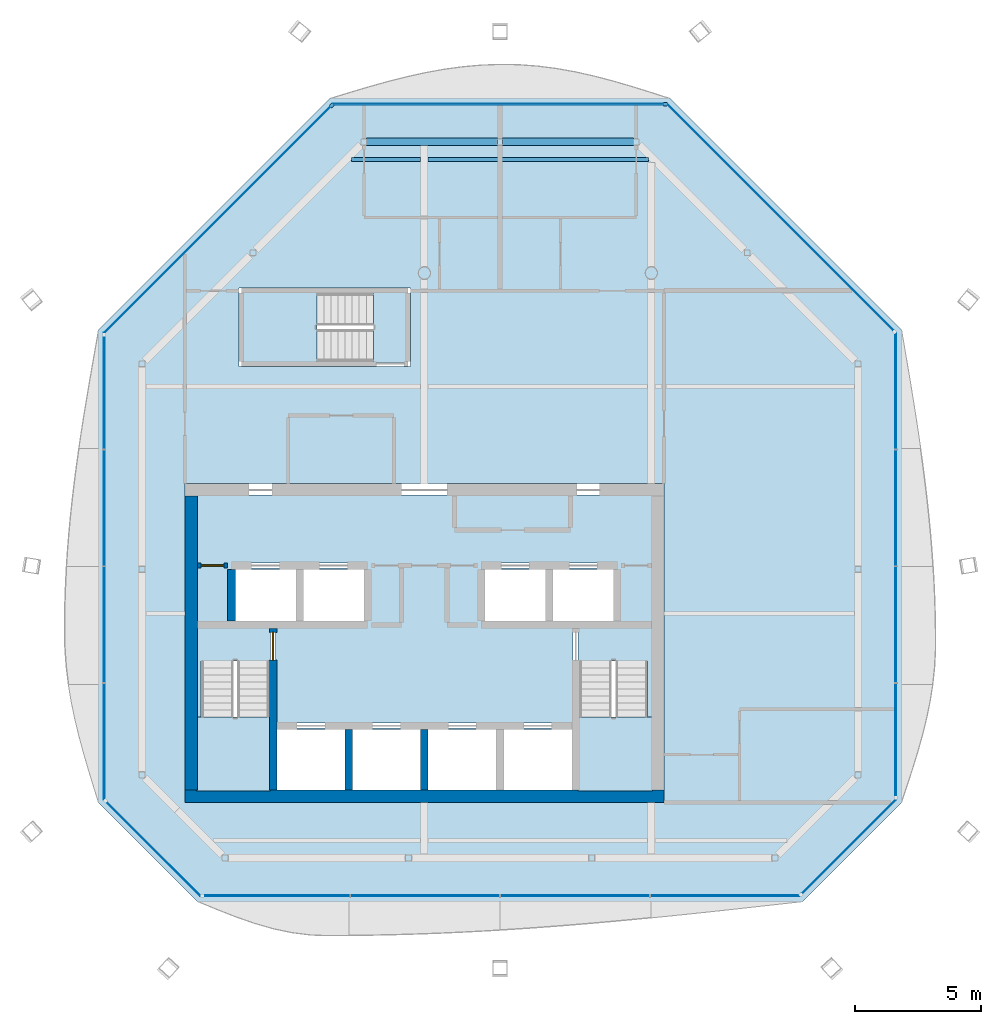
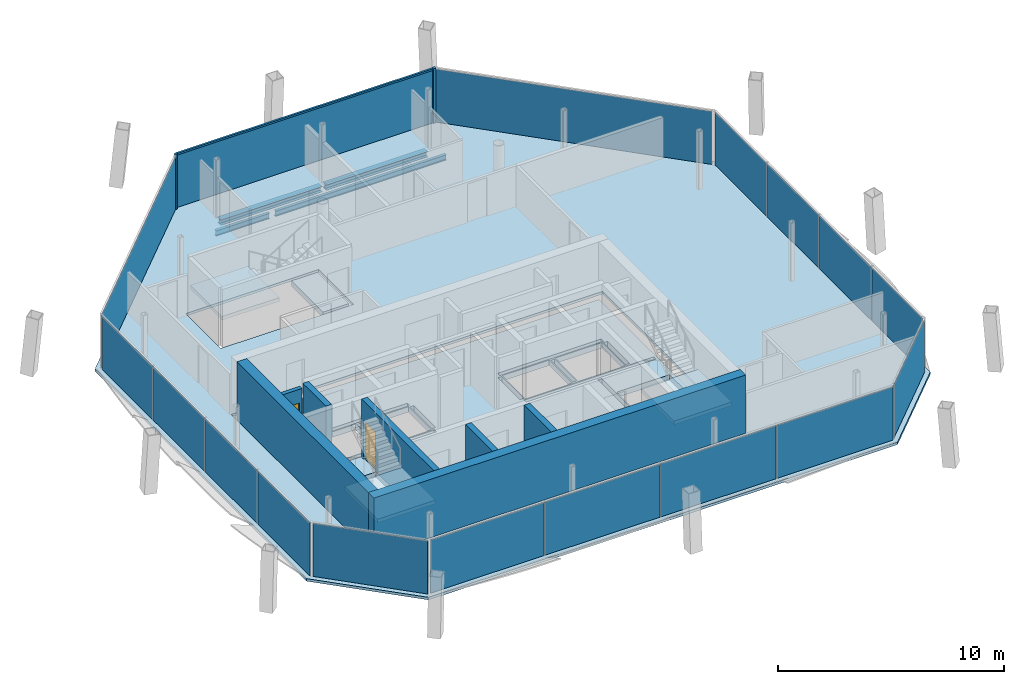
# One storey, part 8 of 13: 17 plates, 7 walls, 6 slabs, 4 beams, 3 members, 2 doors, 2 openings, 11 elements without a shape of their own.
"""IFC4 building model written with IfcOpenShell, lengths in metres."""

from ifc_helpers import new_model, si_unit, direction, frame, frame_2d, origin, origin_2d, place, context, subcontext, project, spatial, polyline, rectangle, i_section, outline, extrude, material, layer, layer_set, material_profile, profile_set, type_object, element, fill, aggregate, save


model = new_model("IFC4")

# Units and contexts
model_context = context("Model", 3, precision=1e-05, world=origin(), true_north=direction((0.0, 1.0)))
body_context = subcontext(model_context, "Body", "Model", "MODEL_VIEW")
ifc_project = project(units=[si_unit("LENGTHUNIT", "METRE"), si_unit("AREAUNIT", "SQUARE_METRE"), si_unit("VOLUMEUNIT", "CUBIC_METRE"), si_unit("PLANEANGLEUNIT", "RADIAN"), si_unit("MASSUNIT", "GRAM", prefix="KILO")], contexts=[model_context])

# Site, building, storey
site_placement = place(None, origin())
site = spatial("IfcSite", under=ifc_project, at=site_placement, CompositionType="ELEMENT")
building_placement = place(site_placement, origin())
building = spatial("IfcBuilding", under=site, at=building_placement, Name="Tskaro Facet Tower", CompositionType="ELEMENT")
storey_placement = place(building_placement, frame((0.0, 0.0, 281.550048828125)))
storey = spatial("IfcBuildingStorey", under=building, at=storey_placement, Name="L75", CompositionType="ELEMENT", Elevation=281.550048828125)

# Curtain wall, member
ifc_material_1 = material(Name="Bronze anodised aluminium 6063-T6", Category="aluminium")
curtain_wall_type = type_object("IfcCurtainWallType", Name="Bronze residence curtain wall (FW3)", PredefinedType="NOTDEFINED", material=ifc_material_1)
curtain_wall_1_placement = place(storey_placement, origin())
curtain_wall_1 = element("IfcCurtainWall", 1, at=curtain_wall_1_placement, inside=storey, type_object=curtain_wall_type, Name="FW3 north facet L75", PredefinedType="NOTDEFINED")
ifc_material_profile_1 = material_profile(ifc_material_1, rectangle(XDim=0.139892578125, YDim=0.139892578125, at=origin_2d()), Name="Corner post 140x140")
ifc_profile_set_1 = profile_set([ifc_material_profile_1], Name="Bronze anodised aluminium 6063-T6")
member_type_1 = type_object("IfcMemberType", Name="FW3 bronze corner post 140x140", PredefinedType="MULLION", material=ifc_profile_set_1)
member_1_placement = place(storey_placement, frame((9.555908203125, 15.697998046875, 0.0), z_axis=(0.0, 0.0, 1.0), x_axis=(-1.0, 0.0, 0.0)))
member_1 = element("IfcMember", 2, at=member_1_placement, type_object=member_type_1, Name="FW3 north corner post", PredefinedType="MULLION", context=body_context, shape_type="SweptSolid", body=[
    extrude(rectangle(XDim=0.139892578125, YDim=0.139892578125, at=origin_2d()), origin(), (0.0, 0.0, 1.0), 2.949951171875),
])

curtain_wall_2_placement = place(storey_placement, origin())
curtain_wall_2 = element("IfcCurtainWall", 3, at=curtain_wall_2_placement, inside=storey, type_object=curtain_wall_type, Name="FW3 north-west facet L75", PredefinedType="NOTDEFINED")
member_2_placement = place(storey_placement, frame((-3.675537109375, 15.6484375, 0.0), z_axis=(0.0, 0.0, 1.0), x_axis=(-0.707106781187, -0.707106781187, 0.0)))
member_2 = element("IfcMember", 4, at=member_2_placement, type_object=member_type_1, Name="FW3 north-west corner post", PredefinedType="MULLION", context=body_context, shape_type="SweptSolid", body=[
    extrude(rectangle(XDim=0.139892578125, YDim=0.139892578125, at=origin_2d()), origin(), (0.0, 0.0, 1.0), 2.949951171875),
])

# Member
ifc_material_profile_2 = material_profile(ifc_material_1, rectangle(XDim=0.10009765625, YDim=0.090087890625, at=origin_2d()), Name="Transom 100x90")
ifc_profile_set_2 = profile_set([ifc_material_profile_2], Name="Bronze anodised aluminium 6063-T6")
member_type_2 = type_object("IfcMemberType", Name="FW3 bronze transom 100x90", PredefinedType="USERDEFINED", material=ifc_profile_set_2)
member_3_placement = place(storey_placement, frame((9.486083984375, 15.697998046875, 2.905029296875), z_axis=(-1.0, 0.0, 0.0), x_axis=(0.0, -1.0, 0.0)))
member_3 = element("IfcMember", 5, at=member_3_placement, type_object=member_type_2, Name="FW3 north transom 1.1", ObjectType="TRANSOM", PredefinedType="USERDEFINED", context=body_context, shape_type="SweptSolid", body=[
    extrude(rectangle(XDim=0.10009765625, YDim=0.090087890625, at=origin_2d()), origin(), (0.0, 0.0, 1.0), 13.112060546875),
])

# Beams
ifc_material_2 = material(Name="Steel S355J2", Category="steel")
ifc_material_profile_3 = material_profile(ifc_material_2, i_section(OverallWidth=0.300048828125, OverallDepth=0.300048828125, WebThickness=0.010986328125, FlangeThickness=0.01904296875, FilletRadius=0.027099609375, at=origin_2d()), Name="HE 300 B")
ifc_profile_set_3 = profile_set([ifc_material_profile_3], Name="Steel S355J2")
beam_type_1 = type_object("IfcBeamType", Name="HE 300 B ring beam", PredefinedType="BEAM", material=ifc_profile_set_3)
for number, where, z_axis, x_axis, name in (
    (6, (8.298095703125, 14.199951171875, -0.2900390625), (-1.0, 0.0, 0.0), (0.0, -1.0, 0.0), "HE 300 B EB9-6"),
    (7, (2.89501953125, 14.199951171875, -0.2900390625), (-1.0, 0.0, 0.0), (0.0, -1.0, 0.0), "HE 300 B EB10-6"),
):
    element("IfcBeam", number, at=place(storey_placement, frame(where, z_axis=z_axis, x_axis=x_axis)), inside=storey, type_object=beam_type_1, Name=name, PredefinedType="BEAM", context=body_context, shape_type="SweptSolid", body=[
        extrude(i_section(OverallWidth=0.300048828125, OverallDepth=0.300048828125, WebThickness=0.010986328125, FlangeThickness=0.01904296875, FilletRadius=0.027099609375, at=origin_2d()), origin(), (0.0, 0.0, 1.0), 5.193115234375),
    ])
ifc_material_profile_4 = material_profile(ifc_material_2, i_section(OverallWidth=0.14990234375, OverallDepth=0.300048828125, WebThickness=0.007080078125, FlangeThickness=0.0107421875, FilletRadius=0.014892578125, at=origin_2d()), Name="IPE 300")
ifc_profile_set_4 = profile_set([ifc_material_profile_4], Name="Steel S355J2")
beam_type_2 = type_object("IfcBeamType", Name="IPE 300 secondary beam", PredefinedType="BEAM", material=ifc_profile_set_4)
beam_1_placement = place(storey_placement, frame((-2.89111328125, 13.5, -0.2900390625), z_axis=(1.0, 0.0, 0.0), x_axis=(0.0, 1.0, 0.0)))
element("IfcBeam", 8, at=beam_1_placement, inside=storey, type_object=beam_type_2, Name="IPE 300 SB5a-1-6", PredefinedType="BEAM", context=body_context, shape_type="SweptSolid", body=[
    extrude(i_section(OverallWidth=0.14990234375, OverallDepth=0.300048828125, WebThickness=0.007080078125, FlangeThickness=0.0107421875, FilletRadius=0.014892578125, at=origin_2d()), origin(), (0.0, 0.0, 1.0), 2.7412109375),
])
beam_2_placement = place(storey_placement, frame((0.14990234375, 13.5, -0.2900390625), z_axis=(1.0, 0.0, 0.0), x_axis=(0.0, 1.0, 0.0)))
element("IfcBeam", 9, at=beam_2_placement, inside=storey, type_object=beam_type_2, Name="IPE 300 SB5a-2-6", PredefinedType="BEAM", context=body_context, shape_type="SweptSolid", body=[
    extrude(i_section(OverallWidth=0.14990234375, OverallDepth=0.300048828125, WebThickness=0.007080078125, FlangeThickness=0.0107421875, FilletRadius=0.014892578125, at=origin_2d()), origin(), (0.0, 0.0, 1.0), 8.7412109375),
])

# Slab
ifc_material_3 = material(Name="Concrete C30/37", Category="concrete")
ifc_layer_1 = layer(ifc_material_3, 0.139892578125, Name="Concrete C30/37")
ifc_layer_set_1 = layer_set([ifc_layer_1], Name="Concrete C30/37")
slab_type_1 = type_object("IfcSlabType", Name="Composite deck floor slab", PredefinedType="FLOOR", material=ifc_layer_set_1)
slab_1_placement = place(storey_placement, frame((0.0, 0.0, -0.14013671875)))
element("IfcSlab", 10, at=slab_1_placement, inside=storey, type_object=slab_type_1, Name="Floor slab FS3 L75", PredefinedType="FLOOR", context=body_context, shape_type="SweptSolid", body=[
    extrude(outline(polyline([(-8.990966796875, -15.947998046875), (14.990966796875, -15.947998046875), (18.947998046875, -11.990966796875), (18.947998046875, 6.72998046875), (9.72998046875, 15.947998046875), (-3.72998046875, 15.947998046875), (-12.947998046875, 6.72998046875), (-12.947998046875, -11.990966796875), (-8.990966796875, -15.947998046875)]), holes=[polyline([(-9.5, -12.0), (9.5, -12.0), (9.5, 0.64990234375), (-9.5, 0.64990234375), (-9.5, -12.0)]), polyline([(-7.35009765625, 5.300048828125), (-0.550048828125, 5.300048828125), (-0.550048828125, 8.39990234375), (-7.35009765625, 8.39990234375), (-7.35009765625, 5.300048828125)])]), origin(), (0.0, 0.0, 1.0), 0.14013671875),
])

# Curtain wall, plates
curtain_wall_3_placement = place(storey_placement, origin())
curtain_wall_3 = element("IfcCurtainWall", 11, at=curtain_wall_3_placement, inside=storey, type_object=curtain_wall_type, Name="FW3 south facet L75", PredefinedType="NOTDEFINED")
ifc_material_4 = material(Name="Bronze low-iron glass", Category="glass")
ifc_layer_2 = layer(ifc_material_4, 0.028076171875, Name="Bronze low-iron glass")
ifc_layer_set_2 = layer_set([ifc_layer_2], Name="Bronze low-iron glass")
plate_type = type_object("IfcPlateType", Name="FW3 bronze-tinted unit glazing 28", PredefinedType="CURTAIN_PANEL", material=ifc_layer_set_2)
plate_1_placement = place(storey_placement, frame((-5.857666015625, -15.697998046875, 0.0), z_axis=(0.0, 0.0, 1.0), x_axis=(1.0, 0.0, 0.0)))
plate_1 = element("IfcPlate", 12, at=plate_1_placement, type_object=plate_type, Name="FW3 south glazing 1.1", PredefinedType="CURTAIN_PANEL", context=body_context, shape_type="SweptSolid", body=[
    extrude(rectangle(XDim=5.778564453125, YDim=0.028076171875, at=origin_2d()), origin(), (0.0, 0.0, 1.0), 2.860107421875),
])
plate_2_placement = place(storey_placement, frame((0.0283203125, -15.697998046875, 0.0), z_axis=(0.0, 0.0, 1.0), x_axis=(1.0, 0.0, 0.0)))
plate_2 = element("IfcPlate", 13, at=plate_2_placement, type_object=plate_type, Name="FW3 south glazing 2.1", PredefinedType="CURTAIN_PANEL", context=body_context, shape_type="SweptSolid", body=[
    extrude(rectangle(XDim=5.8935546875, YDim=0.028076171875, at=origin_2d()), origin(), (0.0, 0.0, 1.0), 2.860107421875),
])
plate_3_placement = place(storey_placement, frame((5.9716796875, -15.697998046875, 0.0), z_axis=(0.0, 0.0, 1.0), x_axis=(1.0, 0.0, 0.0)))
plate_3 = element("IfcPlate", 14, at=plate_3_placement, type_object=plate_type, Name="FW3 south glazing 3.1", PredefinedType="CURTAIN_PANEL", context=body_context, shape_type="SweptSolid", body=[
    extrude(rectangle(XDim=5.8935546875, YDim=0.028076171875, at=origin_2d()), origin(), (0.0, 0.0, 1.0), 2.860107421875),
])
plate_4_placement = place(storey_placement, frame((11.927734375, -15.697998046875, 0.0), z_axis=(0.0, 0.0, 1.0), x_axis=(1.0, 0.0, 0.0)))
plate_4 = element("IfcPlate", 15, at=plate_4_placement, type_object=plate_type, Name="FW3 south glazing 4.1", PredefinedType="CURTAIN_PANEL", context=body_context, shape_type="SweptSolid", body=[
    extrude(rectangle(XDim=5.91845703125, YDim=0.028076171875, at=origin_2d()), origin(), (0.0, 0.0, 1.0), 2.860107421875),
])
aggregate(curtain_wall_3, [plate_1, plate_2, plate_3, plate_4])

# Curtain wall, plate
curtain_wall_4_placement = place(storey_placement, origin())
curtain_wall_4 = element("IfcCurtainWall", 16, at=curtain_wall_4_placement, inside=storey, type_object=curtain_wall_type, Name="FW3 south-east facet L75", PredefinedType="NOTDEFINED")
plate_5_placement = place(storey_placement, frame((16.842041015625, -13.742919921875, 0.0), z_axis=(0.0, 0.0, 1.0), x_axis=(0.707106781187, 0.707106781187, 0.0)))
plate_5 = element("IfcPlate", 17, at=plate_5_placement, type_object=plate_type, Name="FW3 south-east glazing 1.1", PredefinedType="CURTAIN_PANEL", context=body_context, shape_type="SweptSolid", body=[
    extrude(rectangle(XDim=5.24951171875, YDim=0.028076171875, at=origin_2d()), origin(), (0.0, 0.0, 1.0), 2.860107421875),
])
aggregate(curtain_wall_4, [plate_5])

# Curtain wall, plates
curtain_wall_5_placement = place(storey_placement, origin())
curtain_wall_5 = element("IfcCurtainWall", 18, at=curtain_wall_5_placement, inside=storey, type_object=curtain_wall_type, Name="FW3 east facet L75", PredefinedType="NOTDEFINED")
plate_6_placement = place(storey_placement, frame((18.697998046875, -9.515380859375, 0.0), z_axis=(0.0, 0.0, 1.0), x_axis=(0.0, 1.0, 0.0)))
plate_6 = element("IfcPlate", 19, at=plate_6_placement, type_object=plate_type, Name="FW3 east glazing 1.1", PredefinedType="CURTAIN_PANEL", context=body_context, shape_type="SweptSolid", body=[
    extrude(rectangle(XDim=4.463134765625, YDim=0.028076171875, at=origin_2d()), origin(), (0.0, 0.0, 1.0), 2.860107421875),
])
plate_7_placement = place(storey_placement, frame((18.697998046875, -4.944580078125, 0.0), z_axis=(0.0, 0.0, 1.0), x_axis=(0.0, 1.0, 0.0)))
plate_7 = element("IfcPlate", 20, at=plate_7_placement, type_object=plate_type, Name="FW3 east glazing 2.1", PredefinedType="CURTAIN_PANEL", context=body_context, shape_type="SweptSolid", body=[
    extrude(rectangle(XDim=4.578369140625, YDim=0.028076171875, at=origin_2d()), origin(), (0.0, 0.0, 1.0), 2.860107421875),
])
plate_8_placement = place(storey_placement, frame((18.697998046875, -0.31640625, 0.0), z_axis=(0.0, 0.0, 1.0), x_axis=(0.0, 1.0, 0.0)))
plate_8 = element("IfcPlate", 21, at=plate_8_placement, type_object=plate_type, Name="FW3 east glazing 3.1", PredefinedType="CURTAIN_PANEL", context=body_context, shape_type="SweptSolid", body=[
    extrude(rectangle(XDim=4.578369140625, YDim=0.028076171875, at=origin_2d()), origin(), (0.0, 0.0, 1.0), 2.860107421875),
])
plate_9_placement = place(storey_placement, frame((18.697998046875, 4.324462890625, 0.0), z_axis=(0.0, 0.0, 1.0), x_axis=(0.0, 1.0, 0.0)))
plate_9 = element("IfcPlate", 22, at=plate_9_placement, type_object=plate_type, Name="FW3 east glazing 4.1", PredefinedType="CURTAIN_PANEL", context=body_context, shape_type="SweptSolid", body=[
    extrude(rectangle(XDim=4.603271484375, YDim=0.028076171875, at=origin_2d()), origin(), (0.0, 0.0, 1.0), 2.860107421875),
])
aggregate(curtain_wall_5, [plate_6, plate_7, plate_8, plate_9])

# Curtain wall, plate
curtain_wall_6_placement = place(storey_placement, origin())
curtain_wall_6 = element("IfcCurtainWall", 23, at=curtain_wall_6_placement, inside=storey, type_object=curtain_wall_type, Name="FW3 north-east facet L75", PredefinedType="NOTDEFINED")
plate_10_placement = place(storey_placement, frame((14.112548828125, 11.21142578125, 0.0), z_axis=(0.0, 0.0, 1.0), x_axis=(-0.707106781187, 0.707106781187, 0.0)))
plate_10 = element("IfcPlate", 24, at=plate_10_placement, type_object=plate_type, Name="FW3 north-east glazing 1.1", PredefinedType="CURTAIN_PANEL", context=body_context, shape_type="SweptSolid", body=[
    extrude(rectangle(XDim=12.689697265625, YDim=0.028076171875, at=origin_2d()), origin(), (0.0, 0.0, 1.0), 2.860107421875),
])
aggregate(curtain_wall_6, [plate_10])

# Plate
plate_11_placement = place(storey_placement, frame((2.929931640625, 15.697998046875, 0.0), z_axis=(0.0, 0.0, 1.0), x_axis=(-1.0, 0.0, 0.0)))
plate_11 = element("IfcPlate", 25, at=plate_11_placement, type_object=plate_type, Name="FW3 north glazing 1.1", PredefinedType="CURTAIN_PANEL", context=body_context, shape_type="SweptSolid", body=[
    extrude(rectangle(XDim=13.112060546875, YDim=0.028076171875, at=origin_2d()), origin(), (0.0, 0.0, 1.0), 2.860107421875),
])

aggregate(curtain_wall_1, [member_1, member_3, plate_11])

plate_12_placement = place(storey_placement, frame((-8.21142578125, 11.112548828125, 0.0), z_axis=(0.0, 0.0, 1.0), x_axis=(-0.707106781187, -0.707106781187, 0.0)))
plate_12 = element("IfcPlate", 26, at=plate_12_placement, type_object=plate_type, Name="FW3 north-west glazing 1.1", PredefinedType="CURTAIN_PANEL", context=body_context, shape_type="SweptSolid", body=[
    extrude(rectangle(XDim=12.689697265625, YDim=0.028076171875, at=origin_2d()), origin(), (0.0, 0.0, 1.0), 2.860107421875),
])

aggregate(curtain_wall_2, [member_2, plate_12])

# Curtain wall, plates
curtain_wall_7_placement = place(storey_placement, origin())
curtain_wall_7 = element("IfcCurtainWall", 27, at=curtain_wall_7_placement, inside=storey, type_object=curtain_wall_type, Name="FW3 west facet L75", PredefinedType="NOTDEFINED")
plate_13_placement = place(storey_placement, frame((-12.697998046875, 4.25439453125, 0.0), z_axis=(0.0, 0.0, 1.0), x_axis=(0.0, -1.0, 0.0)))
plate_13 = element("IfcPlate", 28, at=plate_13_placement, type_object=plate_type, Name="FW3 west glazing 1.1", PredefinedType="CURTAIN_PANEL", context=body_context, shape_type="SweptSolid", body=[
    extrude(rectangle(XDim=4.463134765625, YDim=0.028076171875, at=origin_2d()), origin(), (0.0, 0.0, 1.0), 2.860107421875),
])
plate_14_placement = place(storey_placement, frame((-12.697998046875, -0.31640625, 0.0), z_axis=(0.0, 0.0, 1.0), x_axis=(0.0, -1.0, 0.0)))
plate_14 = element("IfcPlate", 29, at=plate_14_placement, type_object=plate_type, Name="FW3 west glazing 2.1", PredefinedType="CURTAIN_PANEL", context=body_context, shape_type="SweptSolid", body=[
    extrude(rectangle(XDim=4.578369140625, YDim=0.028076171875, at=origin_2d()), origin(), (0.0, 0.0, 1.0), 2.860107421875),
])
plate_15_placement = place(storey_placement, frame((-12.697998046875, -4.944580078125, 0.0), z_axis=(0.0, 0.0, 1.0), x_axis=(0.0, -1.0, 0.0)))
plate_15 = element("IfcPlate", 30, at=plate_15_placement, type_object=plate_type, Name="FW3 west glazing 3.1", PredefinedType="CURTAIN_PANEL", context=body_context, shape_type="SweptSolid", body=[
    extrude(rectangle(XDim=4.578369140625, YDim=0.028076171875, at=origin_2d()), origin(), (0.0, 0.0, 1.0), 2.860107421875),
])
plate_16_placement = place(storey_placement, frame((-12.697998046875, -9.58544921875, 0.0), z_axis=(0.0, 0.0, 1.0), x_axis=(0.0, -1.0, 0.0)))
plate_16 = element("IfcPlate", 31, at=plate_16_placement, type_object=plate_type, Name="FW3 west glazing 4.1", PredefinedType="CURTAIN_PANEL", context=body_context, shape_type="SweptSolid", body=[
    extrude(rectangle(XDim=4.603271484375, YDim=0.028076171875, at=origin_2d()), origin(), (0.0, 0.0, 1.0), 2.860107421875),
])
aggregate(curtain_wall_7, [plate_13, plate_14, plate_15, plate_16])

# Curtain wall, plate
curtain_wall_8_placement = place(storey_placement, origin())
curtain_wall_8 = element("IfcCurtainWall", 32, at=curtain_wall_8_placement, inside=storey, type_object=curtain_wall_type, Name="FW3 south-west facet L75", PredefinedType="NOTDEFINED")
plate_17_placement = place(storey_placement, frame((-10.742919921875, -13.842041015625, 0.0), z_axis=(0.0, 0.0, 1.0), x_axis=(0.707106781187, -0.707106781187, 0.0)))
plate_17 = element("IfcPlate", 33, at=plate_17_placement, type_object=plate_type, Name="FW3 south-west glazing 1.1", PredefinedType="CURTAIN_PANEL", context=body_context, shape_type="SweptSolid", body=[
    extrude(rectangle(XDim=5.24951171875, YDim=0.028076171875, at=origin_2d()), origin(), (0.0, 0.0, 1.0), 2.860107421875),
])
aggregate(curtain_wall_8, [plate_17])

# Stair, slab
ifc_material_5 = material(Name="Concrete C40/50", Category="concrete")
stair_type = type_object("IfcStairType", Name="ST-TWR", PredefinedType="HALF_TURN_STAIR", material=ifc_material_5)
stair_1_placement = place(storey_placement, origin())
stair_1 = element("IfcStair", 34, at=stair_1_placement, inside=storey, type_object=stair_type, Name="L75 Exit stair 1", PredefinedType="HALF_TURN_STAIR")
ifc_layer_3 = layer(ifc_material_5, 0.199951171875, Name="Concrete C40/50")
ifc_layer_set_3 = layer_set([ifc_layer_3], Name="Concrete C40/50")
slab_type_2 = type_object("IfcSlabType", Name="SL-LANDING", PredefinedType="LANDING", material=ifc_layer_set_3)
slab_2_placement = place(storey_placement, frame((0.0, 0.0, 1.375)))
slab_2 = element("IfcSlab", 35, at=slab_2_placement, type_object=slab_type_2, Name="ST-1 landing 1", PredefinedType="LANDING", context=body_context, shape_type="SweptSolid", body=[
    extrude(outline(polyline([(-9.050048828125, -11.550048828125), (-6.10009765625, -11.550048828125), (-6.10009765625, -8.614990234375), (-9.050048828125, -8.614990234375), (-9.050048828125, -11.550048828125)])), origin(), (0.0, 0.0, 1.0), 0.199951171875),
])
aggregate(stair_1, [slab_2])

stair_2_placement = place(storey_placement, origin())
stair_2 = element("IfcStair", 36, at=stair_2_placement, inside=storey, type_object=stair_type, Name="L75 Exit stair 2", PredefinedType="HALF_TURN_STAIR")
slab_3_placement = place(storey_placement, frame((0.0, 0.0, 1.375)))
slab_3 = element("IfcSlab", 37, at=slab_3_placement, type_object=slab_type_2, Name="ST-2 landing 1", PredefinedType="LANDING", context=body_context, shape_type="SweptSolid", body=[
    extrude(outline(polyline([(6.10009765625, -11.550048828125), (9.050048828125, -11.550048828125), (9.050048828125, -8.614990234375), (6.10009765625, -8.614990234375), (6.10009765625, -11.550048828125)])), origin(), (0.0, 0.0, 1.0), 0.199951171875),
])
aggregate(stair_2, [slab_3])

stair_3_placement = place(storey_placement, origin())
stair_3 = element("IfcStair", 38, at=stair_3_placement, inside=storey, type_object=stair_type, Name="L75 Exit stair 3", PredefinedType="HALF_TURN_STAIR")
slab_4_placement = place(storey_placement, frame((0.0, 0.0, 1.375)))
slab_4 = element("IfcSlab", 39, at=slab_4_placement, type_object=slab_type_2, Name="ST-3 landing 1", PredefinedType="LANDING", context=body_context, shape_type="SweptSolid", body=[
    extrude(outline(polyline([(-7.199951171875, 5.449951171875), (-4.264892578125, 5.449951171875), (-4.264892578125, 8.25), (-7.199951171875, 8.25), (-7.199951171875, 5.449951171875)])), origin(), (0.0, 0.0, 1.0), 0.199951171875),
])
aggregate(stair_3, [slab_4])

# Slabs
ifc_material_6 = material(Name="Concrete C60/75", Category="concrete")
ifc_layer_4 = layer(ifc_material_6, 0.300048828125, Name="Concrete C60/75")
ifc_layer_set_4 = layer_set([ifc_layer_4], Name="Concrete C60/75")
slab_type_3 = type_object("IfcSlabType", Name="SLAB-CORE", PredefinedType="FLOOR", material=ifc_layer_set_4)
slab_5_placement = place(storey_placement, frame((0.0, 0.0, -0.300048828125)))
element("IfcSlab", 40, at=slab_5_placement, inside=storey, type_object=slab_type_3, Name="Core floor slab 1", PredefinedType="FLOOR", context=body_context, shape_type="SweptSolid", body=[
    extrude(outline(polyline([(-9.050048828125, 0.199951171875), (9.050048828125, 0.199951171875), (9.050048828125, 0.10009765625), (9.050048828125, -11.449951171875), (9.050048828125, -11.550048828125), (-9.050048828125, -11.550048828125), (-9.050048828125, -11.449951171875), (-9.050048828125, 0.10009765625), (-9.050048828125, 0.199951171875)]), holes=[polyline([(-5.85009765625, -9.10009765625), (-5.85009765625, -11.5), (-3.14990234375, -11.5), (-3.14990234375, -9.10009765625), (-5.85009765625, -9.10009765625)]), polyline([(-3.10009765625, -11.449951171875), (-2.89990234375, -11.449951171875), (-2.89990234375, -9.14990234375), (-3.10009765625, -9.14990234375), (-3.10009765625, -11.449951171875)]), polyline([(-2.85009765625, -9.10009765625), (-2.85009765625, -11.5), (-0.14990234375, -11.5), (-0.14990234375, -9.10009765625), (-2.85009765625, -9.10009765625)]), polyline([(-6.10009765625, -11.449951171875), (-5.89990234375, -11.449951171875), (-5.89990234375, -5.14990234375), (-6.10009765625, -5.14990234375), (-6.10009765625, -11.449951171875)]), polyline([(-8.949951171875, -5.050048828125), (-2.300048828125, -5.050048828125), (-2.300048828125, -4.85009765625), (-8.949951171875, -4.85009765625), (-8.949951171875, -5.050048828125)]), polyline([(-7.75, -4.75), (-7.550048828125, -4.75), (-7.550048828125, -2.800048828125), (-7.75, -2.800048828125), (-7.75, -4.75)]), polyline([(-7.5, -4.800048828125), (-5.10009765625, -4.800048828125), (-5.10009765625, -2.75), (-7.5, -2.75), (-7.5, -4.800048828125)]), polyline([(-5.050048828125, -4.75), (-4.85009765625, -4.75), (-4.85009765625, -2.800048828125), (-5.050048828125, -2.800048828125), (-5.050048828125, -4.75)]), polyline([(-2.39990234375, -4.800048828125), (-2.39990234375, -2.75), (-4.800048828125, -2.75), (-4.800048828125, -4.800048828125), (-2.39990234375, -4.800048828125)]), polyline([(-2.35009765625, -4.75), (-2.14990234375, -4.75), (-2.14990234375, -2.800048828125), (-2.35009765625, -2.800048828125), (-2.35009765625, -4.75)]), polyline([(-7.60009765625, -2.699951171875), (-2.300048828125, -2.699951171875), (-2.300048828125, -2.5), (-7.60009765625, -2.5), (-7.60009765625, -2.699951171875)]), polyline([(-0.10009765625, -11.449951171875), (0.10009765625, -11.449951171875), (0.10009765625, -9.14990234375), (-0.10009765625, -9.14990234375), (-0.10009765625, -11.449951171875)]), polyline([(0.14990234375, -9.10009765625), (0.14990234375, -11.5), (2.85009765625, -11.5), (2.85009765625, -9.10009765625), (0.14990234375, -9.10009765625)]), polyline([(2.89990234375, -11.449951171875), (3.10009765625, -11.449951171875), (3.10009765625, -9.14990234375), (2.89990234375, -9.14990234375), (2.89990234375, -11.449951171875)]), polyline([(3.14990234375, -9.10009765625), (3.14990234375, -11.5), (5.85009765625, -11.5), (5.85009765625, -9.10009765625), (3.14990234375, -9.10009765625)]), polyline([(-5.800048828125, -9.050048828125), (5.800048828125, -9.050048828125), (5.800048828125, -8.85009765625), (-5.800048828125, -8.85009765625), (-5.800048828125, -9.050048828125)]), polyline([(5.89990234375, -11.449951171875), (6.10009765625, -11.449951171875), (6.10009765625, -5.14990234375), (5.89990234375, -5.14990234375), (5.89990234375, -11.449951171875)]), polyline([(2.300048828125, -5.050048828125), (8.949951171875, -5.050048828125), (8.949951171875, -4.85009765625), (2.300048828125, -4.85009765625), (2.300048828125, -5.050048828125)]), polyline([(2.14990234375, -4.75), (2.35009765625, -4.75), (2.35009765625, -2.800048828125), (2.14990234375, -2.800048828125), (2.14990234375, -4.75)]), polyline([(4.800048828125, -2.75), (2.39990234375, -2.75), (2.39990234375, -4.800048828125), (4.800048828125, -4.800048828125), (4.800048828125, -2.75)]), polyline([(4.85009765625, -4.75), (5.050048828125, -4.75), (5.050048828125, -2.800048828125), (4.85009765625, -2.800048828125), (4.85009765625, -4.75)]), polyline([(7.5, -2.75), (5.10009765625, -2.75), (5.10009765625, -4.800048828125), (7.5, -4.800048828125), (7.5, -2.75)]), polyline([(7.550048828125, -4.75), (7.75, -4.75), (7.75, -2.800048828125), (7.550048828125, -2.800048828125), (7.550048828125, -4.75)]), polyline([(2.300048828125, -2.699951171875), (7.60009765625, -2.699951171875), (7.60009765625, -2.5), (2.300048828125, -2.5), (2.300048828125, -2.699951171875)]), polyline([(-8.85009765625, -11.5), (-6.14990234375, -11.5), (-6.14990234375, -6.39501953125), (-8.85009765625, -6.39501953125), (-8.85009765625, -11.5)]), polyline([(6.14990234375, -6.39501953125), (6.14990234375, -11.5), (8.85009765625, -11.5), (8.85009765625, -6.39501953125), (6.14990234375, -6.39501953125)])]), origin(), (0.0, 0.0, 1.0), 0.300048828125),
])
slab_6_placement = place(storey_placement, frame((0.0, 0.0, -0.300048828125)))
element("IfcSlab", 41, at=slab_6_placement, inside=storey, type_object=slab_type_3, Name="Stair 3 floor landing 1", PredefinedType="FLOOR", context=body_context, shape_type="SweptSolid", body=[
    extrude(outline(polyline([(-2.02490234375, 5.449951171875), (-0.699951171875, 5.449951171875), (-0.699951171875, 8.25), (-2.02490234375, 8.25), (-2.02490234375, 5.449951171875)])), origin(), (0.0, 0.0, 1.0), 0.300048828125),
])

# Wall
ifc_layer_5 = layer(ifc_material_6, 0.300048828125, Name="Concrete C60/75")
ifc_layer_set_5 = layer_set([ifc_layer_5], Name="Concrete C60/75")
wall_type_1 = type_object("IfcWallType", Name="CORE-SHAFT", PredefinedType="SHEAR", material=ifc_layer_set_5)
wall_1_placement = place(storey_placement, frame((-7.64990234375, -4.800048828125, 0.0), z_axis=(0.0, 0.0, 1.0), x_axis=(0.0, 1.0, 0.0)))
element("IfcWall", 42, at=wall_1_placement, inside=storey, type_object=wall_type_1, Name="Shaft wall W023", PredefinedType="SHEAR", context=body_context, shape_type="SweptSolid", body=[
    extrude(rectangle(XDim=2.050048828125, YDim=0.300048828125, at=frame_2d((1.02490234375, 0.0))), origin(), (0.0, 0.0, 1.0), 3.14990234375),
])

# Wall, opening, door
wall_2_placement = place(storey_placement, frame((-6.0, -11.5, 0.0), z_axis=(0.0, 0.0, 1.0), x_axis=(0.0, 1.0, 0.0)))
wall_2 = element("IfcWall", 43, at=wall_2_placement, inside=storey, type_object=wall_type_1, Name="Shaft wall W025", PredefinedType="SHEAR", context=body_context, shape_type="SweptSolid", body=[
    extrude(rectangle(XDim=6.39990234375, YDim=0.300048828125, at=frame_2d((3.199951171875, 0.0))), origin(), (0.0, 0.0, 1.0), 3.14990234375),
])
opening_1_placement = place(wall_2_placement, frame((5.14990234375, 0.0, 0.0)))
opening_1 = element("IfcOpeningElement", 44, at=opening_1_placement, cuts=wall_2, Name="Opening ST-1-D1", PredefinedType="OPENING", context=body_context, shape_type="SweptSolid", body=[
    extrude(rectangle(XDim=1.10009765625, YDim=2.10009765625, at=frame_2d((0.550048828125, 1.050048828125))), frame((0.0, 0.159912109375, 0.0), z_axis=(0.0, -1.0, 0.0), x_axis=(1.0, 0.0, 0.0)), (0.0, 0.0, 1.0), 0.320068359375),
])
ifc_material_7 = material(Name="Steel", Category="steel")
door_type_1 = type_object("IfcDoorType", Name="D-STAIR", OperationType="NOTDEFINED", PredefinedType="DOOR", material=ifc_material_7)
door_1_placement = place(opening_1_placement, origin())
door_1 = element("IfcDoor", 45, at=door_1_placement, inside=storey, type_object=door_type_1, Name="Stair door 1", OperationType="SINGLE_SWING_LEFT", OverallHeight=2.10009765625, OverallWidth=1.10009765625, PredefinedType="DOOR", context=body_context, shape_type="SweptSolid", body=[
    extrude(rectangle(XDim=1.10009765625, YDim=2.10009765625, at=frame_2d((0.550048828125, 1.050048828125))), frame((0.0, 0.02490234375, 0.0), z_axis=(0.0, -1.0, 0.0), x_axis=(1.0, 0.0, 0.0)), (0.0, 0.0, 1.0), 0.050048828125),
])
fill(opening_1, door_1)

# Walls
for number, where, z_axis, x_axis, name in (
    (46, (-3.0, -11.5, 0.0), (0.0, 0.0, 1.0), (0.0, 1.0, 0.0), "Shaft wall W028"),
    (47, (0.0, -11.5, 0.0), (0.0, 0.0, 1.0), (0.0, 1.0, 0.0), "Shaft wall W035"),
):
    element("IfcWall", number, at=place(storey_placement, frame(where, z_axis=z_axis, x_axis=x_axis)), inside=storey, type_object=wall_type_1, Name=name, PredefinedType="SHEAR", context=body_context, shape_type="SweptSolid", body=[
        extrude(rectangle(XDim=2.39990234375, YDim=0.300048828125, at=frame_2d((1.199951171875, 0.0))), origin(), (0.0, 0.0, 1.0), 3.14990234375),
    ])

# Wall, opening, door
ifc_material_8 = material(Name="Concrete C20/25", Category="concrete")
ifc_layer_6 = layer(ifc_material_8, 0.199951171875, Name="Concrete C20/25")
ifc_layer_set_6 = layer_set([ifc_layer_6], Name="Concrete C20/25")
wall_type_2 = type_object("IfcWallType", Name="CORE-WALL", PredefinedType="SOLIDWALL", material=ifc_layer_set_6)
wall_3_placement = place(storey_placement, frame((-7.800048828125, -2.60009765625, 0.0), z_axis=(0.0, 0.0, 1.0), x_axis=(-1.0, 0.0, 0.0)))
wall_3 = element("IfcWall", 48, at=wall_3_placement, inside=storey, type_object=wall_type_2, Name="Core room wall W009", PredefinedType="SOLIDWALL", context=body_context, shape_type="SweptSolid", body=[
    extrude(rectangle(XDim=1.199951171875, YDim=0.199951171875, at=frame_2d((0.60009765625, 0.0))), origin(), (0.0, 0.0, 1.0), 2.849853515625),
])
opening_2_placement = place(wall_3_placement, frame((0.14990234375, 0.0, 0.0)))
opening_2 = element("IfcOpeningElement", 49, at=opening_2_placement, cuts=wall_3, Name="Opening T22-D03", PredefinedType="OPENING", context=body_context, shape_type="SweptSolid", body=[
    extrude(rectangle(XDim=0.89990234375, YDim=2.10009765625, at=frame_2d((0.449951171875, 1.050048828125))), frame((0.0, 0.10986328125, 0.0), z_axis=(0.0, -1.0, 0.0), x_axis=(1.0, 0.0, 0.0)), (0.0, 0.0, 1.0), 0.219970703125),
])
ifc_material_9 = material(Name="Timber", Category="wood")
door_type_2 = type_object("IfcDoorType", Name="D-ROOM", OperationType="NOTDEFINED", PredefinedType="DOOR", material=ifc_material_9)
door_2_placement = place(opening_2_placement, origin())
door_2 = element("IfcDoor", 50, at=door_2_placement, inside=storey, type_object=door_type_2, Name="Door T22-D03", OperationType="SINGLE_SWING_RIGHT", OverallHeight=2.10009765625, OverallWidth=0.89990234375, PredefinedType="DOOR", context=body_context, shape_type="SweptSolid", body=[
    extrude(rectangle(XDim=0.89990234375, YDim=2.10009765625, at=frame_2d((0.449951171875, 1.050048828125))), frame((0.0, 0.02490234375, 0.0), z_axis=(0.0, -1.0, 0.0), x_axis=(1.0, 0.0, 0.0)), (0.0, 0.0, 1.0), 0.050048828125),
])
fill(opening_2, door_2)

# Walls
ifc_layer_7 = layer(ifc_material_5, 0.5, Name="Concrete C40/50")
ifc_layer_set_7 = layer_set([ifc_layer_7], Name="Concrete C40/50")
wall_type_3 = type_object("IfcWallType", Name="Core wall 500", PredefinedType="SHEAR", material=ifc_layer_set_7)
wall_4_placement = place(storey_placement, frame((-9.5, -11.75, 0.0), z_axis=(0.0, 0.0, 1.0), x_axis=(1.0, 0.0, 0.0)))
element("IfcWall", 51, at=wall_4_placement, inside=storey, type_object=wall_type_3, Name="Core wall CW-Z3S", PredefinedType="SHEAR", context=body_context, shape_type="SweptSolid", body=[
    extrude(rectangle(XDim=19.0, YDim=0.5, at=frame_2d((9.5, 0.0))), origin(), (0.0, 0.0, 1.0), 3.14990234375),
])
wall_5_placement = place(storey_placement, frame((-9.25, -11.5, 0.0), z_axis=(0.0, 0.0, 1.0), x_axis=(0.0, 1.0, 0.0)))
element("IfcWall", 52, at=wall_5_placement, inside=storey, type_object=wall_type_3, Name="Core wall CW-Z3W", PredefinedType="SHEAR", context=body_context, shape_type="SweptSolid", body=[
    extrude(rectangle(XDim=11.64990234375, YDim=0.5, at=frame_2d((5.824951171875, 0.0))), origin(), (0.0, 0.0, 1.0), 3.14990234375),
])

save(model, "model.ifc")
